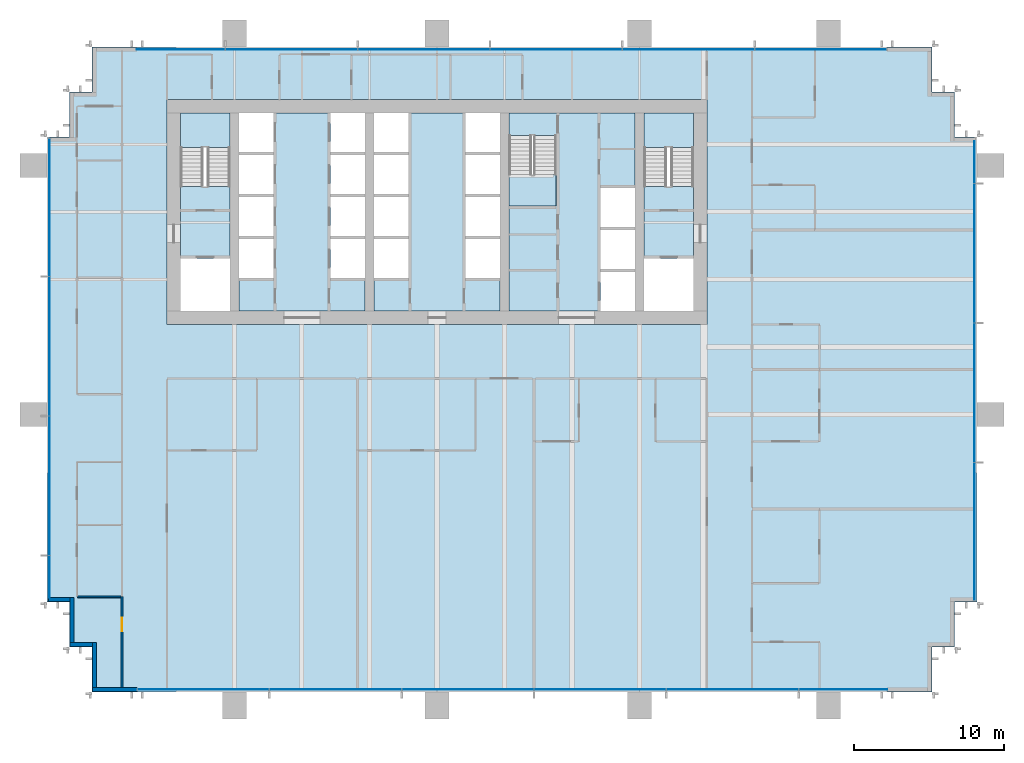
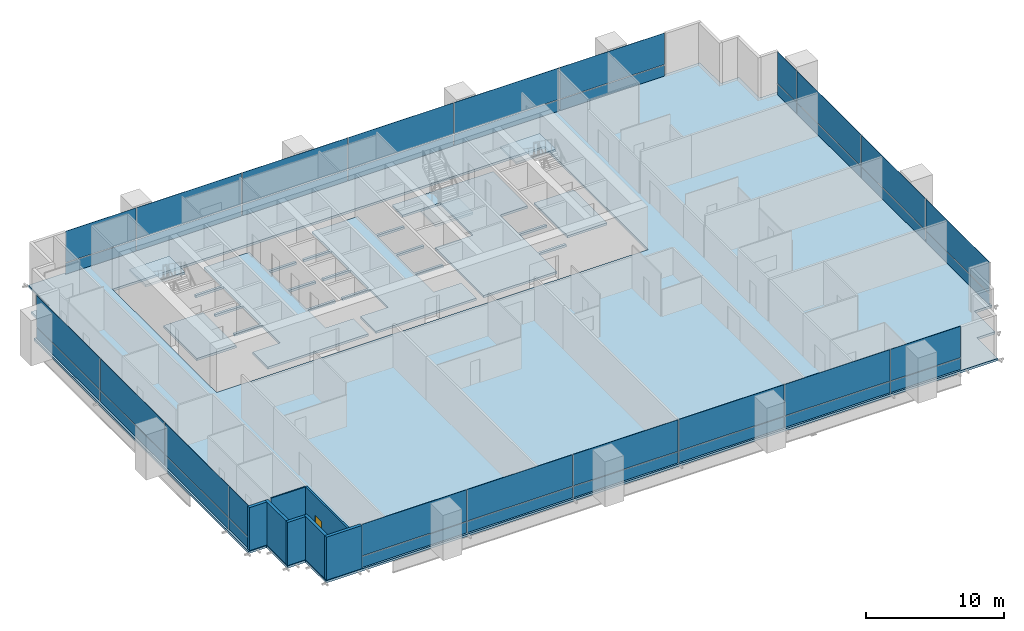
# One storey, part 11 of 17: 40 plates, 9 slabs, 7 walls, 1 door, 1 opening, 7 elements without a shape of their own.
"""IFC4 building model written with IfcOpenShell, lengths in metres."""

from ifc_helpers import new_model, si_unit, direction, frame, frame_2d, origin, origin_2d, place, context, subcontext, project, spatial, polyline, rectangle, outline, extrude, material, layer, layer_set, type_object, element, fill, aggregate, save


model = new_model("IFC4")

# Units and contexts
model_context = context("Model", 3, precision=1e-05, world=origin(), true_north=direction((0.0, 1.0)))
body_context = subcontext(model_context, "Body", "Model", "MODEL_VIEW")
ifc_project = project(units=[si_unit("LENGTHUNIT", "METRE"), si_unit("AREAUNIT", "SQUARE_METRE"), si_unit("VOLUMEUNIT", "CUBIC_METRE"), si_unit("PLANEANGLEUNIT", "RADIAN"), si_unit("MASSUNIT", "GRAM", prefix="KILO")], contexts=[model_context])

# Site, building, storey
site_placement = place(None, origin())
site = spatial("IfcSite", under=ifc_project, at=site_placement, CompositionType="ELEMENT")
building_placement = place(site_placement, origin())
building = spatial("IfcBuilding", under=site, at=building_placement, Name="Rattan Terrace Tower", CompositionType="ELEMENT")
storey_placement = place(building_placement, frame((0.0, 0.0, 107.699951171875)))
storey = spatial("IfcBuildingStorey", under=building, at=storey_placement, Name="L24", CompositionType="ELEMENT", Elevation=107.699951171875)

# Stair, slab
ifc_material_1 = material(Name="Concrete C40/50", Category="concrete")
stair_type = type_object("IfcStairType", Name="Core exit stair 1500", PredefinedType="HALF_TURN_STAIR", material=ifc_material_1)
stair_1_placement = place(storey_placement, origin())
stair_1 = element("IfcStair", 1, at=stair_1_placement, inside=storey, type_object=stair_type, Name="L24 exit stair 1", PredefinedType="HALF_TURN_STAIR")
ifc_material_2 = material(Name="Concrete C40/50", Category="concrete")
ifc_layer_1 = layer(ifc_material_2, 0.199951171875)
ifc_layer_set_1 = layer_set([ifc_layer_1], Name="Core exit stair landing")
slab_type_1 = type_object("IfcSlabType", Name="Core exit stair landing", PredefinedType="LANDING", material=ifc_layer_set_1)
slab_1_placement = place(storey_placement, frame((0.0, 0.0, 1.800048828125)))
slab_1 = element("IfcSlab", 2, at=slab_1_placement, type_object=slab_type_1, Name="S1 landing 1", PredefinedType="LANDING", context=body_context, shape_type="SweptSolid", body=[
    extrude(outline(polyline([(-13.800048828125, 4.300048828125), (-13.800048828125, 6.60009765625), (-17.10009765625, 6.60009765625), (-17.10009765625, 4.300048828125), (-13.800048828125, 4.300048828125)])), origin(), (0.0, 0.0, 1.0), 0.199951171875),
])
aggregate(stair_1, [slab_1])

stair_2_placement = place(storey_placement, origin())
stair_2 = element("IfcStair", 3, at=stair_2_placement, inside=storey, type_object=stair_type, Name="L24 exit stair 2", PredefinedType="HALF_TURN_STAIR")
slab_2_placement = place(storey_placement, frame((0.0, 0.0, 1.800048828125)))
slab_2 = element("IfcSlab", 4, at=slab_2_placement, type_object=slab_type_1, Name="S2 landing 1", PredefinedType="LANDING", context=body_context, shape_type="SweptSolid", body=[
    extrude(outline(polyline([(17.10009765625, 4.300048828125), (17.10009765625, 6.60009765625), (13.800048828125, 6.60009765625), (13.800048828125, 4.300048828125), (17.10009765625, 4.300048828125)])), origin(), (0.0, 0.0, 1.0), 0.199951171875),
])
aggregate(stair_2, [slab_2])

stair_3_placement = place(storey_placement, origin())
stair_3 = element("IfcStair", 5, at=stair_3_placement, inside=storey, type_object=stair_type, Name="L24 exit stair 3", PredefinedType="HALF_TURN_STAIR")
slab_3_placement = place(storey_placement, frame((0.0, 0.0, 1.800048828125)))
slab_3 = element("IfcSlab", 6, at=slab_3_placement, type_object=slab_type_1, Name="S3 landing 1", PredefinedType="LANDING", context=body_context, shape_type="SweptSolid", body=[
    extrude(outline(polyline([(4.800048828125, 2.5), (4.800048828125, 0.39990234375), (7.949951171875, 0.39990234375), (7.949951171875, 2.5), (4.800048828125, 2.5)])), origin(), (0.0, 0.0, 1.0), 0.199951171875),
])
aggregate(stair_3, [slab_3])

# Curtain wall, plates
ifc_material_3 = material(Name="Aluminium and glass", Category="aluminium")
curtain_wall_type = type_object("IfcCurtainWallType", Name="Facade Unitised Curtain Wall", PredefinedType="NOTDEFINED", material=ifc_material_3)
curtain_wall_1_placement = place(storey_placement, origin())
curtain_wall_1 = element("IfcCurtainWall", 7, at=curtain_wall_1_placement, inside=storey, type_object=curtain_wall_type, Name="Curtain wall L24-1", PredefinedType="NOTDEFINED")
ifc_material_4 = material(Name="Aluminium insulated spandrel panel", Category="aluminium")
ifc_layer_2 = layer(ifc_material_4, 0.028076171875)
ifc_layer_set_2 = layer_set([ifc_layer_2], Name="Facade CW Spandrel Panel")
plate_type_1 = type_object("IfcPlateType", Name="Facade CW Spandrel Panel", PredefinedType="CURTAIN_PANEL", material=ifc_layer_set_2)
plate_1_placement = place(storey_placement, frame((35.830078125, -21.3125, 0.0), z_axis=(0.0, 0.0, 1.0), x_axis=(0.0, 1.0, 0.0)))
plate_1 = element("IfcPlate", 8, at=plate_1_placement, type_object=plate_type_1, Name="Panel cwl-L24-001.1.1", PredefinedType="CURTAIN_PANEL", context=body_context, shape_type="SweptSolid", body=[
    extrude(rectangle(XDim=9.1650390625, YDim=0.028076171875, at=origin_2d()), origin(), (0.0, 0.0, 1.0), 0.969970703125),
])
plate_2_placement = place(storey_placement, frame((35.830078125, -12.050048828125, 0.0), z_axis=(0.0, 0.0, 1.0), x_axis=(0.0, 1.0, 0.0)))
plate_2 = element("IfcPlate", 9, at=plate_2_placement, type_object=plate_type_1, Name="Panel cwl-L24-001.2.1", PredefinedType="CURTAIN_PANEL", context=body_context, shape_type="SweptSolid", body=[
    extrude(rectangle(XDim=9.239990234375, YDim=0.028076171875, at=origin_2d()), origin(), (0.0, 0.0, 1.0), 0.969970703125),
])
plate_3_placement = place(storey_placement, frame((35.830078125, -2.75, 0.0), z_axis=(0.0, 0.0, 1.0), x_axis=(0.0, 1.0, 0.0)))
plate_3 = element("IfcPlate", 10, at=plate_3_placement, type_object=plate_type_1, Name="Panel cwl-L24-001.3.1", PredefinedType="CURTAIN_PANEL", context=body_context, shape_type="SweptSolid", body=[
    extrude(rectangle(XDim=9.239990234375, YDim=0.028076171875, at=origin_2d()), origin(), (0.0, 0.0, 1.0), 0.969970703125),
])
plate_4_placement = place(storey_placement, frame((35.830078125, 3.3173828125, 0.0), z_axis=(0.0, 0.0, 1.0), x_axis=(0.0, 1.0, 0.0)))
plate_4 = element("IfcPlate", 11, at=plate_4_placement, type_object=plate_type_1, Name="Panel cwl-L24-001.4.1", PredefinedType="CURTAIN_PANEL", context=body_context, shape_type="SweptSolid", body=[
    extrude(rectangle(XDim=2.77490234375, YDim=0.028076171875, at=origin_2d()), origin(), (0.0, 0.0, 1.0), 0.969970703125),
])

curtain_wall_2_placement = place(storey_placement, origin())
curtain_wall_2 = element("IfcCurtainWall", 12, at=curtain_wall_2_placement, inside=storey, type_object=curtain_wall_type, Name="Curtain wall L24-2", PredefinedType="NOTDEFINED")
plate_5_placement = place(storey_placement, frame((25.573486328125, 10.830078125, 0.0), z_axis=(0.0, 0.0, 1.0), x_axis=(-1.0, 0.0, 0.0)))
plate_5 = element("IfcPlate", 13, at=plate_5_placement, type_object=plate_type_1, Name="Panel cwl-L24-002.1.1", PredefinedType="CURTAIN_PANEL", context=body_context, shape_type="SweptSolid", body=[
    extrude(rectangle(XDim=8.73291015625, YDim=0.028076171875, at=origin_2d()), origin(), (0.0, 0.0, 1.0), 0.969970703125),
])
plate_6_placement = place(storey_placement, frame((16.765380859375, 10.830078125, 0.0), z_axis=(0.0, 0.0, 1.0), x_axis=(-1.0, 0.0, 0.0)))
plate_6 = element("IfcPlate", 14, at=plate_6_placement, type_object=plate_type_1, Name="Panel cwl-L24-002.2.1", PredefinedType="CURTAIN_PANEL", context=body_context, shape_type="SweptSolid", body=[
    extrude(rectangle(XDim=8.762939453125, YDim=0.028076171875, at=origin_2d()), origin(), (0.0, 0.0, 1.0), 0.969970703125),
])
plate_7_placement = place(storey_placement, frame((7.9423828125, 10.830078125, 0.0), z_axis=(0.0, 0.0, 1.0), x_axis=(-1.0, 0.0, 0.0)))
plate_7 = element("IfcPlate", 15, at=plate_7_placement, type_object=plate_type_1, Name="Panel cwl-L24-002.3.1", PredefinedType="CURTAIN_PANEL", context=body_context, shape_type="SweptSolid", body=[
    extrude(rectangle(XDim=8.762939453125, YDim=0.028076171875, at=origin_2d()), origin(), (0.0, 0.0, 1.0), 0.969970703125),
])
plate_8_placement = place(storey_placement, frame((-0.880615234375, 10.830078125, 0.0), z_axis=(0.0, 0.0, 1.0), x_axis=(-1.0, 0.0, 0.0)))
plate_8 = element("IfcPlate", 16, at=plate_8_placement, type_object=plate_type_1, Name="Panel cwl-L24-002.4.1", PredefinedType="CURTAIN_PANEL", context=body_context, shape_type="SweptSolid", body=[
    extrude(rectangle(XDim=8.762939453125, YDim=0.028076171875, at=origin_2d()), origin(), (0.0, 0.0, 1.0), 0.969970703125),
])
plate_9_placement = place(storey_placement, frame((-9.70361328125, 10.830078125, 0.0), z_axis=(0.0, 0.0, 1.0), x_axis=(-1.0, 0.0, 0.0)))
plate_9 = element("IfcPlate", 17, at=plate_9_placement, type_object=plate_type_1, Name="Panel cwl-L24-002.5.1", PredefinedType="CURTAIN_PANEL", context=body_context, shape_type="SweptSolid", body=[
    extrude(rectangle(XDim=8.762939453125, YDim=0.028076171875, at=origin_2d()), origin(), (0.0, 0.0, 1.0), 0.969970703125),
])
plate_10_placement = place(storey_placement, frame((-17.072509765625, 10.830078125, 0.0), z_axis=(0.0, 0.0, 1.0), x_axis=(-1.0, 0.0, 0.0)))
plate_10 = element("IfcPlate", 18, at=plate_10_placement, type_object=plate_type_1, Name="Panel cwl-L24-002.6.1", PredefinedType="CURTAIN_PANEL", context=body_context, shape_type="SweptSolid", body=[
    extrude(rectangle(XDim=5.85498046875, YDim=0.028076171875, at=origin_2d()), origin(), (0.0, 0.0, 1.0), 0.969970703125),
])

curtain_wall_3_placement = place(storey_placement, origin())
curtain_wall_3 = element("IfcCurtainWall", 19, at=curtain_wall_3_placement, inside=storey, type_object=curtain_wall_type, Name="Curtain wall L24-3", PredefinedType="NOTDEFINED")
plate_11_placement = place(storey_placement, frame((-25.830078125, 0.3125, 0.0), z_axis=(0.0, 0.0, 1.0), x_axis=(0.0, -1.0, 0.0)))
plate_11 = element("IfcPlate", 20, at=plate_11_placement, type_object=plate_type_1, Name="Panel cwl-L24-003.1.1", PredefinedType="CURTAIN_PANEL", context=body_context, shape_type="SweptSolid", body=[
    extrude(rectangle(XDim=9.1650390625, YDim=0.028076171875, at=origin_2d()), origin(), (0.0, 0.0, 1.0), 0.969970703125),
])
plate_12_placement = place(storey_placement, frame((-25.830078125, -8.949951171875, 0.0), z_axis=(0.0, 0.0, 1.0), x_axis=(0.0, -1.0, 0.0)))
plate_12 = element("IfcPlate", 21, at=plate_12_placement, type_object=plate_type_1, Name="Panel cwl-L24-003.2.1", PredefinedType="CURTAIN_PANEL", context=body_context, shape_type="SweptSolid", body=[
    extrude(rectangle(XDim=9.239990234375, YDim=0.028076171875, at=origin_2d()), origin(), (0.0, 0.0, 1.0), 0.969970703125),
])
plate_13_placement = place(storey_placement, frame((-25.830078125, -18.25, 0.0), z_axis=(0.0, 0.0, 1.0), x_axis=(0.0, -1.0, 0.0)))
plate_13 = element("IfcPlate", 22, at=plate_13_placement, type_object=plate_type_1, Name="Panel cwl-L24-003.3.1", PredefinedType="CURTAIN_PANEL", context=body_context, shape_type="SweptSolid", body=[
    extrude(rectangle(XDim=9.239990234375, YDim=0.028076171875, at=origin_2d()), origin(), (0.0, 0.0, 1.0), 0.969970703125),
])
plate_14_placement = place(storey_placement, frame((-25.830078125, -24.3173828125, 0.0), z_axis=(0.0, 0.0, 1.0), x_axis=(0.0, -1.0, 0.0)))
plate_14 = element("IfcPlate", 23, at=plate_14_placement, type_object=plate_type_1, Name="Panel cwl-L24-003.4.1", PredefinedType="CURTAIN_PANEL", context=body_context, shape_type="SweptSolid", body=[
    extrude(rectangle(XDim=2.77490234375, YDim=0.028076171875, at=origin_2d()), origin(), (0.0, 0.0, 1.0), 0.969970703125),
])

curtain_wall_4_placement = place(storey_placement, origin())
curtain_wall_4 = element("IfcCurtainWall", 24, at=curtain_wall_4_placement, inside=storey, type_object=curtain_wall_type, Name="Curtain wall L24-4", PredefinedType="NOTDEFINED")
plate_15_placement = place(storey_placement, frame((-15.573486328125, -31.830078125, 0.0), z_axis=(0.0, 0.0, 1.0), x_axis=(1.0, 0.0, 0.0)))
plate_15 = element("IfcPlate", 25, at=plate_15_placement, type_object=plate_type_1, Name="Panel cwl-L24-004.1.1", PredefinedType="CURTAIN_PANEL", context=body_context, shape_type="SweptSolid", body=[
    extrude(rectangle(XDim=8.73291015625, YDim=0.028076171875, at=origin_2d()), origin(), (0.0, 0.0, 1.0), 0.969970703125),
])
plate_16_placement = place(storey_placement, frame((-6.765380859375, -31.830078125, 0.0), z_axis=(0.0, 0.0, 1.0), x_axis=(1.0, 0.0, 0.0)))
plate_16 = element("IfcPlate", 26, at=plate_16_placement, type_object=plate_type_1, Name="Panel cwl-L24-004.2.1", PredefinedType="CURTAIN_PANEL", context=body_context, shape_type="SweptSolid", body=[
    extrude(rectangle(XDim=8.762939453125, YDim=0.028076171875, at=origin_2d()), origin(), (0.0, 0.0, 1.0), 0.969970703125),
])
plate_17_placement = place(storey_placement, frame((2.0576171875, -31.830078125, 0.0), z_axis=(0.0, 0.0, 1.0), x_axis=(1.0, 0.0, 0.0)))
plate_17 = element("IfcPlate", 27, at=plate_17_placement, type_object=plate_type_1, Name="Panel cwl-L24-004.3.1", PredefinedType="CURTAIN_PANEL", context=body_context, shape_type="SweptSolid", body=[
    extrude(rectangle(XDim=8.762939453125, YDim=0.028076171875, at=origin_2d()), origin(), (0.0, 0.0, 1.0), 0.969970703125),
])
plate_18_placement = place(storey_placement, frame((10.880615234375, -31.830078125, 0.0), z_axis=(0.0, 0.0, 1.0), x_axis=(1.0, 0.0, 0.0)))
plate_18 = element("IfcPlate", 28, at=plate_18_placement, type_object=plate_type_1, Name="Panel cwl-L24-004.4.1", PredefinedType="CURTAIN_PANEL", context=body_context, shape_type="SweptSolid", body=[
    extrude(rectangle(XDim=8.762939453125, YDim=0.028076171875, at=origin_2d()), origin(), (0.0, 0.0, 1.0), 0.969970703125),
])
plate_19_placement = place(storey_placement, frame((19.70361328125, -31.830078125, 0.0), z_axis=(0.0, 0.0, 1.0), x_axis=(1.0, 0.0, 0.0)))
plate_19 = element("IfcPlate", 29, at=plate_19_placement, type_object=plate_type_1, Name="Panel cwl-L24-004.5.1", PredefinedType="CURTAIN_PANEL", context=body_context, shape_type="SweptSolid", body=[
    extrude(rectangle(XDim=8.762939453125, YDim=0.028076171875, at=origin_2d()), origin(), (0.0, 0.0, 1.0), 0.969970703125),
])
plate_20_placement = place(storey_placement, frame((27.072509765625, -31.830078125, 0.0), z_axis=(0.0, 0.0, 1.0), x_axis=(1.0, 0.0, 0.0)))
plate_20 = element("IfcPlate", 30, at=plate_20_placement, type_object=plate_type_1, Name="Panel cwl-L24-004.6.1", PredefinedType="CURTAIN_PANEL", context=body_context, shape_type="SweptSolid", body=[
    extrude(rectangle(XDim=5.85498046875, YDim=0.028076171875, at=origin_2d()), origin(), (0.0, 0.0, 1.0), 0.969970703125),
])

# Plate
ifc_material_5 = material(Name="Clear low-iron glass", Category="glass")
ifc_layer_3 = layer(ifc_material_5, 0.028076171875)
ifc_layer_set_3 = layer_set([ifc_layer_3], Name="Facade CW Vision Panel")
plate_type_2 = type_object("IfcPlateType", Name="Facade CW Vision Panel", PredefinedType="CURTAIN_PANEL", material=ifc_layer_set_3)
plate_21_placement = place(storey_placement, frame((35.830078125, -21.3125, 1.030029296875), z_axis=(0.0, 0.0, 1.0), x_axis=(0.0, 1.0, 0.0)))
plate_21 = element("IfcPlate", 31, at=plate_21_placement, type_object=plate_type_2, Name="Panel cwl-L24-001.1.2", PredefinedType="CURTAIN_PANEL", context=body_context, shape_type="SweptSolid", body=[
    extrude(rectangle(XDim=9.1650390625, YDim=0.028076171875, at=origin_2d()), origin(), (0.0, 0.0, 1.0), 2.77001953125),
])

plate_22_placement = place(storey_placement, frame((35.830078125, -12.050048828125, 1.030029296875), z_axis=(0.0, 0.0, 1.0), x_axis=(0.0, 1.0, 0.0)))
plate_22 = element("IfcPlate", 32, at=plate_22_placement, type_object=plate_type_2, Name="Panel cwl-L24-001.2.2", PredefinedType="CURTAIN_PANEL", context=body_context, shape_type="SweptSolid", body=[
    extrude(rectangle(XDim=9.239990234375, YDim=0.028076171875, at=origin_2d()), origin(), (0.0, 0.0, 1.0), 2.77001953125),
])

plate_23_placement = place(storey_placement, frame((35.830078125, -2.75, 1.030029296875), z_axis=(0.0, 0.0, 1.0), x_axis=(0.0, 1.0, 0.0)))
plate_23 = element("IfcPlate", 33, at=plate_23_placement, type_object=plate_type_2, Name="Panel cwl-L24-001.3.2", PredefinedType="CURTAIN_PANEL", context=body_context, shape_type="SweptSolid", body=[
    extrude(rectangle(XDim=9.239990234375, YDim=0.028076171875, at=origin_2d()), origin(), (0.0, 0.0, 1.0), 2.77001953125),
])

plate_24_placement = place(storey_placement, frame((35.830078125, 3.3173828125, 1.030029296875), z_axis=(0.0, 0.0, 1.0), x_axis=(0.0, 1.0, 0.0)))
plate_24 = element("IfcPlate", 34, at=plate_24_placement, type_object=plate_type_2, Name="Panel cwl-L24-001.4.2", PredefinedType="CURTAIN_PANEL", context=body_context, shape_type="SweptSolid", body=[
    extrude(rectangle(XDim=2.77490234375, YDim=0.028076171875, at=origin_2d()), origin(), (0.0, 0.0, 1.0), 2.77001953125),
])

aggregate(curtain_wall_1, [plate_1, plate_21, plate_2, plate_22, plate_3, plate_23, plate_4, plate_24])

plate_25_placement = place(storey_placement, frame((25.573486328125, 10.830078125, 1.030029296875), z_axis=(0.0, 0.0, 1.0), x_axis=(-1.0, 0.0, 0.0)))
plate_25 = element("IfcPlate", 35, at=plate_25_placement, type_object=plate_type_2, Name="Panel cwl-L24-002.1.2", PredefinedType="CURTAIN_PANEL", context=body_context, shape_type="SweptSolid", body=[
    extrude(rectangle(XDim=8.73291015625, YDim=0.028076171875, at=origin_2d()), origin(), (0.0, 0.0, 1.0), 2.77001953125),
])

plate_26_placement = place(storey_placement, frame((16.765380859375, 10.830078125, 1.030029296875), z_axis=(0.0, 0.0, 1.0), x_axis=(-1.0, 0.0, 0.0)))
plate_26 = element("IfcPlate", 36, at=plate_26_placement, type_object=plate_type_2, Name="Panel cwl-L24-002.2.2", PredefinedType="CURTAIN_PANEL", context=body_context, shape_type="SweptSolid", body=[
    extrude(rectangle(XDim=8.762939453125, YDim=0.028076171875, at=origin_2d()), origin(), (0.0, 0.0, 1.0), 2.77001953125),
])

plate_27_placement = place(storey_placement, frame((7.9423828125, 10.830078125, 1.030029296875), z_axis=(0.0, 0.0, 1.0), x_axis=(-1.0, 0.0, 0.0)))
plate_27 = element("IfcPlate", 37, at=plate_27_placement, type_object=plate_type_2, Name="Panel cwl-L24-002.3.2", PredefinedType="CURTAIN_PANEL", context=body_context, shape_type="SweptSolid", body=[
    extrude(rectangle(XDim=8.762939453125, YDim=0.028076171875, at=origin_2d()), origin(), (0.0, 0.0, 1.0), 2.77001953125),
])

plate_28_placement = place(storey_placement, frame((-0.880615234375, 10.830078125, 1.030029296875), z_axis=(0.0, 0.0, 1.0), x_axis=(-1.0, 0.0, 0.0)))
plate_28 = element("IfcPlate", 38, at=plate_28_placement, type_object=plate_type_2, Name="Panel cwl-L24-002.4.2", PredefinedType="CURTAIN_PANEL", context=body_context, shape_type="SweptSolid", body=[
    extrude(rectangle(XDim=8.762939453125, YDim=0.028076171875, at=origin_2d()), origin(), (0.0, 0.0, 1.0), 2.77001953125),
])

plate_29_placement = place(storey_placement, frame((-9.70361328125, 10.830078125, 1.030029296875), z_axis=(0.0, 0.0, 1.0), x_axis=(-1.0, 0.0, 0.0)))
plate_29 = element("IfcPlate", 39, at=plate_29_placement, type_object=plate_type_2, Name="Panel cwl-L24-002.5.2", PredefinedType="CURTAIN_PANEL", context=body_context, shape_type="SweptSolid", body=[
    extrude(rectangle(XDim=8.762939453125, YDim=0.028076171875, at=origin_2d()), origin(), (0.0, 0.0, 1.0), 2.77001953125),
])

plate_30_placement = place(storey_placement, frame((-17.072509765625, 10.830078125, 1.030029296875), z_axis=(0.0, 0.0, 1.0), x_axis=(-1.0, 0.0, 0.0)))
plate_30 = element("IfcPlate", 40, at=plate_30_placement, type_object=plate_type_2, Name="Panel cwl-L24-002.6.2", PredefinedType="CURTAIN_PANEL", context=body_context, shape_type="SweptSolid", body=[
    extrude(rectangle(XDim=5.85498046875, YDim=0.028076171875, at=origin_2d()), origin(), (0.0, 0.0, 1.0), 2.77001953125),
])

aggregate(curtain_wall_2, [plate_5, plate_25, plate_6, plate_26, plate_7, plate_27, plate_8, plate_28, plate_9, plate_29, plate_10, plate_30])

plate_31_placement = place(storey_placement, frame((-25.830078125, 0.3125, 1.030029296875), z_axis=(0.0, 0.0, 1.0), x_axis=(0.0, -1.0, 0.0)))
plate_31 = element("IfcPlate", 41, at=plate_31_placement, type_object=plate_type_2, Name="Panel cwl-L24-003.1.2", PredefinedType="CURTAIN_PANEL", context=body_context, shape_type="SweptSolid", body=[
    extrude(rectangle(XDim=9.1650390625, YDim=0.028076171875, at=origin_2d()), origin(), (0.0, 0.0, 1.0), 2.77001953125),
])

plate_32_placement = place(storey_placement, frame((-25.830078125, -8.949951171875, 1.030029296875), z_axis=(0.0, 0.0, 1.0), x_axis=(0.0, -1.0, 0.0)))
plate_32 = element("IfcPlate", 42, at=plate_32_placement, type_object=plate_type_2, Name="Panel cwl-L24-003.2.2", PredefinedType="CURTAIN_PANEL", context=body_context, shape_type="SweptSolid", body=[
    extrude(rectangle(XDim=9.239990234375, YDim=0.028076171875, at=origin_2d()), origin(), (0.0, 0.0, 1.0), 2.77001953125),
])

plate_33_placement = place(storey_placement, frame((-25.830078125, -18.25, 1.030029296875), z_axis=(0.0, 0.0, 1.0), x_axis=(0.0, -1.0, 0.0)))
plate_33 = element("IfcPlate", 43, at=plate_33_placement, type_object=plate_type_2, Name="Panel cwl-L24-003.3.2", PredefinedType="CURTAIN_PANEL", context=body_context, shape_type="SweptSolid", body=[
    extrude(rectangle(XDim=9.239990234375, YDim=0.028076171875, at=origin_2d()), origin(), (0.0, 0.0, 1.0), 2.77001953125),
])

plate_34_placement = place(storey_placement, frame((-25.830078125, -24.3173828125, 1.030029296875), z_axis=(0.0, 0.0, 1.0), x_axis=(0.0, -1.0, 0.0)))
plate_34 = element("IfcPlate", 44, at=plate_34_placement, type_object=plate_type_2, Name="Panel cwl-L24-003.4.2", PredefinedType="CURTAIN_PANEL", context=body_context, shape_type="SweptSolid", body=[
    extrude(rectangle(XDim=2.77490234375, YDim=0.028076171875, at=origin_2d()), origin(), (0.0, 0.0, 1.0), 2.77001953125),
])

aggregate(curtain_wall_3, [plate_11, plate_31, plate_12, plate_32, plate_13, plate_33, plate_14, plate_34])

plate_35_placement = place(storey_placement, frame((-15.573486328125, -31.830078125, 1.030029296875), z_axis=(0.0, 0.0, 1.0), x_axis=(1.0, 0.0, 0.0)))
plate_35 = element("IfcPlate", 45, at=plate_35_placement, type_object=plate_type_2, Name="Panel cwl-L24-004.1.2", PredefinedType="CURTAIN_PANEL", context=body_context, shape_type="SweptSolid", body=[
    extrude(rectangle(XDim=8.73291015625, YDim=0.028076171875, at=origin_2d()), origin(), (0.0, 0.0, 1.0), 2.77001953125),
])

plate_36_placement = place(storey_placement, frame((-6.765380859375, -31.830078125, 1.030029296875), z_axis=(0.0, 0.0, 1.0), x_axis=(1.0, 0.0, 0.0)))
plate_36 = element("IfcPlate", 46, at=plate_36_placement, type_object=plate_type_2, Name="Panel cwl-L24-004.2.2", PredefinedType="CURTAIN_PANEL", context=body_context, shape_type="SweptSolid", body=[
    extrude(rectangle(XDim=8.762939453125, YDim=0.028076171875, at=origin_2d()), origin(), (0.0, 0.0, 1.0), 2.77001953125),
])

plate_37_placement = place(storey_placement, frame((2.0576171875, -31.830078125, 1.030029296875), z_axis=(0.0, 0.0, 1.0), x_axis=(1.0, 0.0, 0.0)))
plate_37 = element("IfcPlate", 47, at=plate_37_placement, type_object=plate_type_2, Name="Panel cwl-L24-004.3.2", PredefinedType="CURTAIN_PANEL", context=body_context, shape_type="SweptSolid", body=[
    extrude(rectangle(XDim=8.762939453125, YDim=0.028076171875, at=origin_2d()), origin(), (0.0, 0.0, 1.0), 2.77001953125),
])

plate_38_placement = place(storey_placement, frame((10.880615234375, -31.830078125, 1.030029296875), z_axis=(0.0, 0.0, 1.0), x_axis=(1.0, 0.0, 0.0)))
plate_38 = element("IfcPlate", 48, at=plate_38_placement, type_object=plate_type_2, Name="Panel cwl-L24-004.4.2", PredefinedType="CURTAIN_PANEL", context=body_context, shape_type="SweptSolid", body=[
    extrude(rectangle(XDim=8.762939453125, YDim=0.028076171875, at=origin_2d()), origin(), (0.0, 0.0, 1.0), 2.77001953125),
])

plate_39_placement = place(storey_placement, frame((19.70361328125, -31.830078125, 1.030029296875), z_axis=(0.0, 0.0, 1.0), x_axis=(1.0, 0.0, 0.0)))
plate_39 = element("IfcPlate", 49, at=plate_39_placement, type_object=plate_type_2, Name="Panel cwl-L24-004.5.2", PredefinedType="CURTAIN_PANEL", context=body_context, shape_type="SweptSolid", body=[
    extrude(rectangle(XDim=8.762939453125, YDim=0.028076171875, at=origin_2d()), origin(), (0.0, 0.0, 1.0), 2.77001953125),
])

plate_40_placement = place(storey_placement, frame((27.072509765625, -31.830078125, 1.030029296875), z_axis=(0.0, 0.0, 1.0), x_axis=(1.0, 0.0, 0.0)))
plate_40 = element("IfcPlate", 50, at=plate_40_placement, type_object=plate_type_2, Name="Panel cwl-L24-004.6.2", PredefinedType="CURTAIN_PANEL", context=body_context, shape_type="SweptSolid", body=[
    extrude(rectangle(XDim=5.85498046875, YDim=0.028076171875, at=origin_2d()), origin(), (0.0, 0.0, 1.0), 2.77001953125),
])

aggregate(curtain_wall_4, [plate_15, plate_35, plate_16, plate_36, plate_17, plate_37, plate_18, plate_38, plate_19, plate_39, plate_20, plate_40])

# Slabs
ifc_material_6 = material(Name="Concrete C35/45", Category="concrete")
ifc_layer_4 = layer(ifc_material_6, 0.199951171875)
ifc_layer_set_4 = layer_set([ifc_layer_4], Name="Frame composite floor slab 200")
slab_type_2 = type_object("IfcSlabType", Name="Frame composite floor slab 200", PredefinedType="FLOOR", material=ifc_layer_set_4)
slab_4_placement = place(storey_placement, frame((0.0, 0.0, -0.199951171875)))
element("IfcSlab", 51, at=slab_4_placement, inside=storey, type_object=slab_type_2, Name="Floor slab", PredefinedType="FLOOR", context=body_context, shape_type="SweptSolid", body=[
    extrude(outline(polyline([(-20.0, -32.0), (30.0, -32.0), (33.0, -32.0), (33.0, -29.0), (34.5, -29.0), (34.5, -26.0), (36.0, -26.0), (36.0, 5.0), (34.5, 5.0), (34.5, 8.0), (33.0, 8.0), (33.0, 11.0), (30.0, 11.0), (-20.0, 11.0), (-23.0, 11.0), (-23.0, 8.0), (-24.5, 8.0), (-24.5, 5.0), (-26.0, 5.0), (-26.0, -26.0), (-24.5, -26.0), (-24.5, -29.0), (-23.0, -29.0), (-23.0, -32.0), (-20.0, -32.0)]), holes=[polyline([(-18.0, -6.60009765625), (-18.0, -7.5), (18.0, -7.5), (18.0, -6.60009765625), (18.0, 6.60009765625), (18.0, 7.5), (-18.0, 7.5), (-18.0, 6.60009765625), (-18.0, -6.60009765625)])]), origin(), (0.0, 0.0, 1.0), 0.199951171875),
])
slab_5_placement = place(storey_placement, frame((0.0, 0.0, -0.199951171875)))
element("IfcSlab", 52, at=slab_5_placement, inside=storey, type_object=slab_type_2, Name="Floor slab", PredefinedType="FLOOR", context=body_context, shape_type="SweptSolid", body=[
    extrude(outline(polyline([(-10.89990234375, 6.60009765625), (-10.89990234375, 4.0), (-13.199951171875, 4.0), (-13.199951171875, 3.800048828125), (-10.89990234375, 3.800048828125), (-10.89990234375, 1.199951171875), (-13.199951171875, 1.199951171875), (-13.199951171875, 1.0), (-10.89990234375, 1.0), (-10.89990234375, -1.60009765625), (-13.199951171875, -1.60009765625), (-13.199951171875, -1.800048828125), (-10.89990234375, -1.800048828125), (-10.89990234375, -4.39990234375), (-13.199951171875, -4.39990234375), (-13.199951171875, -6.60009765625), (-4.800048828125, -6.60009765625), (-4.800048828125, -4.39990234375), (-7.10009765625, -4.39990234375), (-7.10009765625, -1.800048828125), (-4.800048828125, -1.800048828125), (-4.800048828125, -1.60009765625), (-7.10009765625, -1.60009765625), (-7.10009765625, 1.0), (-4.800048828125, 1.0), (-4.800048828125, 1.199951171875), (-7.10009765625, 1.199951171875), (-7.10009765625, 3.800048828125), (-4.800048828125, 3.800048828125), (-4.800048828125, 4.0), (-7.10009765625, 4.0), (-7.10009765625, 6.60009765625), (-10.89990234375, 6.60009765625)])), origin(), (0.0, 0.0, 1.0), 0.199951171875),
])
slab_6_placement = place(storey_placement, frame((0.0, 0.0, -0.199951171875)))
element("IfcSlab", 53, at=slab_6_placement, inside=storey, type_object=slab_type_2, Name="Floor slab", PredefinedType="FLOOR", context=body_context, shape_type="SweptSolid", body=[
    extrude(outline(polyline([(-17.10009765625, -3.10009765625), (-13.800048828125, -3.10009765625), (-13.800048828125, 1.7099609375), (-17.10009765625, 1.7099609375), (-17.10009765625, -3.10009765625)])), origin(), (0.0, 0.0, 1.0), 0.199951171875),
])
slab_7_placement = place(storey_placement, frame((0.0, 0.0, -0.199951171875)))
element("IfcSlab", 54, at=slab_7_placement, inside=storey, type_object=slab_type_2, Name="Floor slab", PredefinedType="FLOOR", context=body_context, shape_type="SweptSolid", body=[
    extrude(outline(polyline([(-4.199951171875, 4.0), (-4.199951171875, 3.800048828125), (-1.89990234375, 3.800048828125), (-1.89990234375, 1.199951171875), (-4.199951171875, 1.199951171875), (-4.199951171875, 1.0), (-1.89990234375, 1.0), (-1.89990234375, -1.60009765625), (-4.199951171875, -1.60009765625), (-4.199951171875, -1.800048828125), (-1.89990234375, -1.800048828125), (-1.89990234375, -4.39990234375), (-4.199951171875, -4.39990234375), (-4.199951171875, -6.60009765625), (4.199951171875, -6.60009765625), (4.199951171875, -4.39990234375), (1.89990234375, -4.39990234375), (1.89990234375, -1.800048828125), (4.199951171875, -1.800048828125), (4.199951171875, -1.60009765625), (1.89990234375, -1.60009765625), (1.89990234375, 1.0), (4.199951171875, 1.0), (4.199951171875, 1.199951171875), (1.89990234375, 1.199951171875), (1.89990234375, 3.800048828125), (4.199951171875, 3.800048828125), (4.199951171875, 4.0), (1.89990234375, 4.0), (1.89990234375, 6.60009765625), (-1.89990234375, 6.60009765625), (-1.89990234375, 4.0), (-4.199951171875, 4.0)])), origin(), (0.0, 0.0, 1.0), 0.199951171875),
])
slab_8_placement = place(storey_placement, frame((0.0, 0.0, -0.199951171875)))
element("IfcSlab", 55, at=slab_8_placement, inside=storey, type_object=slab_type_2, Name="Floor slab", PredefinedType="FLOOR", context=body_context, shape_type="SweptSolid", body=[
    extrude(outline(polyline([(4.800048828125, 5.090087890625), (7.949951171875, 5.090087890625), (7.949951171875, 0.39990234375), (4.800048828125, 0.39990234375), (4.800048828125, -6.60009765625), (10.89990234375, -6.60009765625), (10.89990234375, -4.0), (13.199951171875, -4.0), (13.199951171875, -3.800048828125), (10.89990234375, -3.800048828125), (10.89990234375, -1.199951171875), (13.199951171875, -1.199951171875), (13.199951171875, -1.0), (10.89990234375, -1.0), (10.89990234375, 1.60009765625), (13.199951171875, 1.60009765625), (13.199951171875, 6.60009765625), (4.800048828125, 6.60009765625), (4.800048828125, 5.090087890625)])), origin(), (0.0, 0.0, 1.0), 0.199951171875),
])
slab_9_placement = place(storey_placement, frame((0.0, 0.0, -0.199951171875)))
element("IfcSlab", 56, at=slab_9_placement, inside=storey, type_object=slab_type_2, Name="Floor slab", PredefinedType="FLOOR", context=body_context, shape_type="SweptSolid", body=[
    extrude(outline(polyline([(13.800048828125, -3.10009765625), (17.10009765625, -3.10009765625), (17.10009765625, 1.7099609375), (13.800048828125, 1.7099609375), (13.800048828125, -3.10009765625)])), origin(), (0.0, 0.0, 1.0), 0.199951171875),
])

# Walls
ifc_material_7 = material(Name="Insulated aluminium-clad stud wall", Category="aluminium")
ifc_layer_5 = layer(ifc_material_7, 0.25)
ifc_layer_set_5 = layer_set([ifc_layer_5], Name="Facade Riser Wall 250")
wall_type_1 = type_object("IfcWallType", Name="Facade Riser Wall 250", PredefinedType="SOLIDWALL", material=ifc_layer_set_5)
wall_1_placement = place(storey_placement, frame((-25.909912109375, -25.830078125, 0.0), z_axis=(0.0, 0.0, 1.0), x_axis=(1.0, 0.0, 0.0)))
element("IfcWall", 57, at=wall_1_placement, inside=storey, type_object=wall_type_1, Name="Riser wall L24-16", PredefinedType="SOLIDWALL", context=body_context, shape_type="SweptSolid", body=[
    extrude(rectangle(XDim=1.454833984375, YDim=0.25, at=frame_2d((0.7275390625, 0.0))), origin(), (0.0, 0.0, 1.0), 3.800048828125),
])
wall_2_placement = place(storey_placement, frame((-24.330078125, -25.705078125, 0.0), z_axis=(0.0, 0.0, 1.0), x_axis=(0.0, -1.0, 0.0)))
element("IfcWall", 58, at=wall_2_placement, inside=storey, type_object=wall_type_1, Name="Riser wall L24-17", PredefinedType="SOLIDWALL", context=body_context, shape_type="SweptSolid", body=[
    extrude(rectangle(XDim=3.0, YDim=0.25, at=frame_2d((1.5, 0.0))), origin(), (0.0, 0.0, 1.0), 3.800048828125),
])
wall_3_placement = place(storey_placement, frame((-24.455078125, -28.830078125, 0.0), z_axis=(0.0, 0.0, 1.0), x_axis=(1.0, 0.0, 0.0)))
element("IfcWall", 59, at=wall_3_placement, inside=storey, type_object=wall_type_1, Name="Riser wall L24-18", PredefinedType="SOLIDWALL", context=body_context, shape_type="SweptSolid", body=[
    extrude(rectangle(XDim=1.5, YDim=0.25, at=frame_2d((0.75, 0.0))), origin(), (0.0, 0.0, 1.0), 3.800048828125),
])
wall_4_placement = place(storey_placement, frame((-22.830078125, -28.705078125, 0.0), z_axis=(0.0, 0.0, 1.0), x_axis=(0.0, -1.0, 0.0)))
element("IfcWall", 60, at=wall_4_placement, inside=storey, type_object=wall_type_1, Name="Riser wall L24-19", PredefinedType="SOLIDWALL", context=body_context, shape_type="SweptSolid", body=[
    extrude(rectangle(XDim=3.0, YDim=0.25, at=frame_2d((1.5, 0.0))), origin(), (0.0, 0.0, 1.0), 3.800048828125),
])
wall_5_placement = place(storey_placement, frame((-22.955078125, -31.830078125, 0.0), z_axis=(0.0, 0.0, 1.0), x_axis=(1.0, 0.0, 0.0)))
element("IfcWall", 61, at=wall_5_placement, inside=storey, type_object=wall_type_1, Name="Riser wall L24-20", PredefinedType="SOLIDWALL", context=body_context, shape_type="SweptSolid", body=[
    extrude(rectangle(XDim=2.955078125, YDim=0.25, at=frame_2d((1.4775390625, 0.0))), origin(), (0.0, 0.0, 1.0), 3.800048828125),
])
ifc_material_8 = material(Name="Gypsum board partition on steel studs", Category="steel")
ifc_layer_6 = layer(ifc_material_8, 0.10009765625)
ifc_layer_set_6 = layer_set([ifc_layer_6], Name="Floors Partition 100")
wall_type_2 = type_object("IfcWallType", Name="Floors Partition 100", PredefinedType="PARTITIONING", material=ifc_layer_set_6)
wall_6_placement = place(storey_placement, frame((-23.949951171875, -25.659912109375, 0.0), z_axis=(0.0, 0.0, 1.0), x_axis=(1.0, 0.0, 0.0)))
element("IfcWall", 62, at=wall_6_placement, inside=storey, type_object=wall_type_2, Name="pt-L24-033", PredefinedType="PARTITIONING", context=body_context, shape_type="SweptSolid", body=[
    extrude(rectangle(XDim=2.875, YDim=0.10009765625, at=frame_2d((1.4375, 0.0))), origin(), (0.0, 0.0, 1.0), 3.800048828125),
])

# Wall, opening, door
ifc_material_9 = material(Name="Gypsum board partition on steel studs, fire rated", Category="steel")
ifc_layer_7 = layer(ifc_material_9, 0.14990234375)
ifc_layer_set_7 = layer_set([ifc_layer_7], Name="Floors Tenancy Wall 150")
wall_type_3 = type_object("IfcWallType", Name="Floors Tenancy Wall 150", PredefinedType="PARTITIONING", material=ifc_layer_set_7)
wall_7_placement = place(storey_placement, frame((-21.0, -31.739990234375, 0.0), z_axis=(0.0, 0.0, 1.0), x_axis=(0.0, 1.0, 0.0)))
wall_7 = element("IfcWall", 63, at=wall_7_placement, inside=storey, type_object=wall_type_3, Name="pt-L24-002", PredefinedType="PARTITIONING", context=body_context, shape_type="SweptSolid", body=[
    extrude(rectangle(XDim=6.10009765625, YDim=0.14990234375, at=frame_2d((3.050048828125, 0.0))), origin(), (0.0, 0.0, 1.0), 3.800048828125),
])
opening_placement = place(wall_7_placement, frame((3.77490234375, 0.0, 0.0)))
opening = element("IfcOpeningElement", 64, at=opening_placement, cuts=wall_7, Name="Opening L24-D100", PredefinedType="OPENING", context=body_context, shape_type="SweptSolid", body=[
    extrude(rectangle(XDim=0.89990234375, YDim=2.10009765625, at=frame_2d((0.449951171875, 1.050048828125))), frame((0.0, 0.08544921875, 0.0), z_axis=(0.0, -1.0, 0.0), x_axis=(1.0, 0.0, 0.0)), (0.0, 0.0, 1.0), 0.1708984375),
])
ifc_material_10 = material(Name="Steel fire door set", Category="steel")
door_type = type_object("IfcDoorType", Name="Floors Fire Door FD30S 900x2100", OperationType="NOTDEFINED", PredefinedType="DOOR", material=ifc_material_10)
door_placement = place(opening_placement, origin())
door = element("IfcDoor", 65, at=door_placement, inside=storey, type_object=door_type, Name="d-L24-100", OperationType="SINGLE_SWING_RIGHT", OverallHeight=2.10009765625, OverallWidth=0.89990234375, PredefinedType="DOOR", context=body_context, shape_type="SweptSolid", body=[
    extrude(rectangle(XDim=0.89990234375, YDim=2.10009765625, at=frame_2d((0.449951171875, 1.050048828125))), frame((0.0, 0.02490234375, 0.0), z_axis=(0.0, -1.0, 0.0), x_axis=(1.0, 0.0, 0.0)), (0.0, 0.0, 1.0), 0.050048828125),
])
fill(opening, door)

save(model, "model.ifc")
